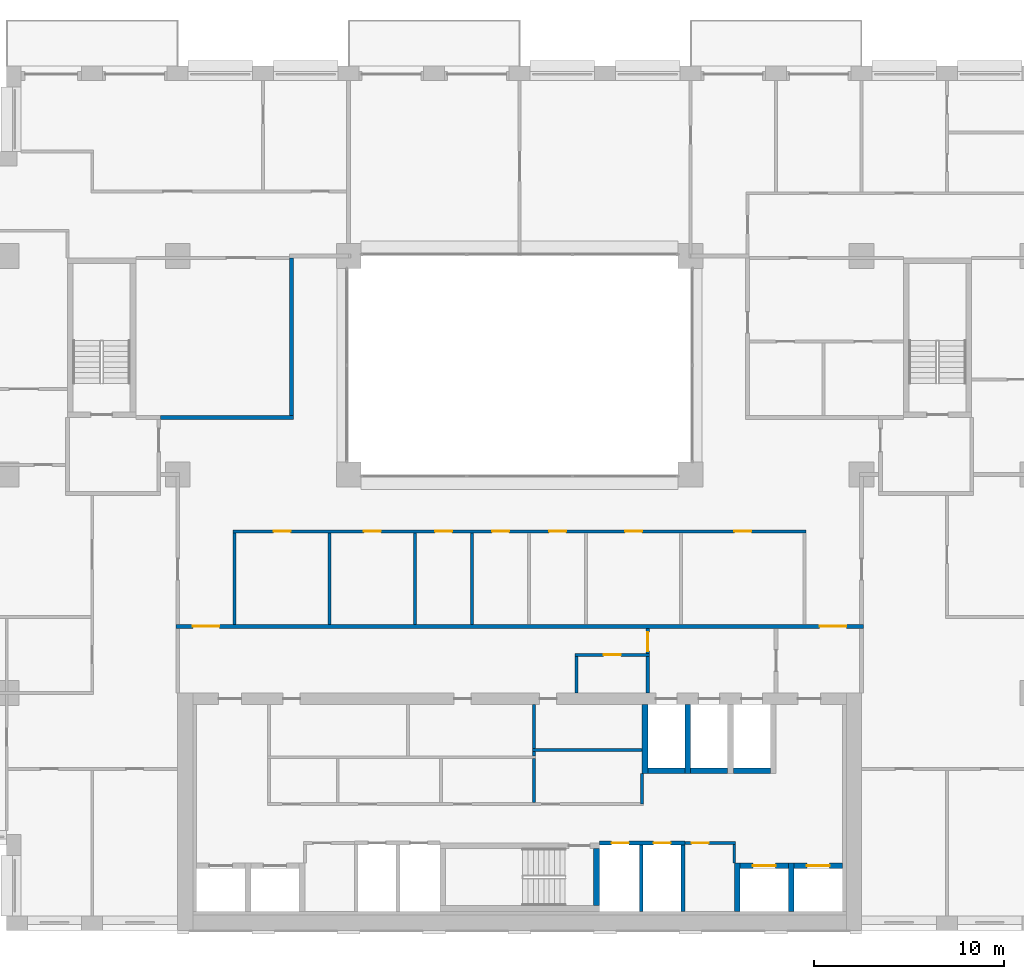
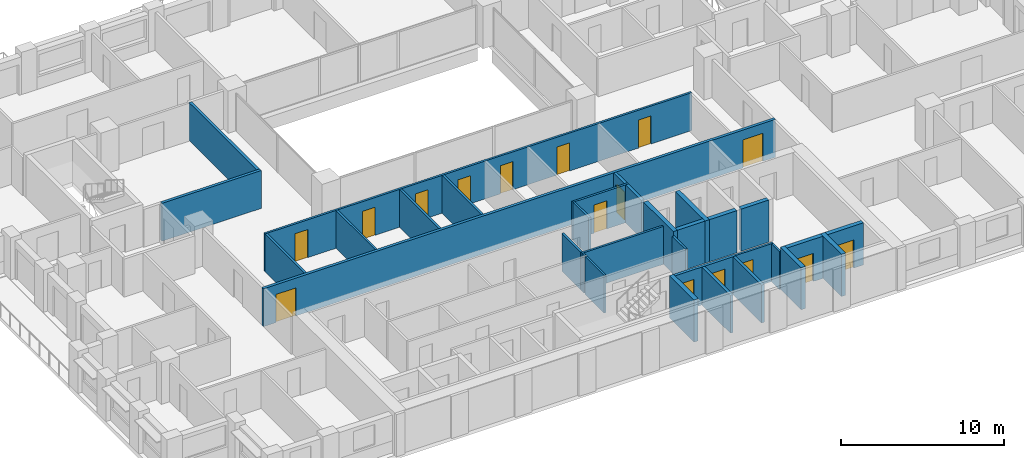
# One storey, part 10 of 16: 32 walls, 16 doors, 16 openings.
"""IFC4 building model written with IfcOpenShell, lengths in metres."""

from ifc_helpers import new_model, si_unit, direction, frame, frame_2d, origin, place, context, subcontext, project, spatial, rectangle, extrude, material, layer, layer_set, type_object, element, fill, save


model = new_model("IFC4")

# Units and contexts
model_context = context("Model", 3, precision=1e-05, world=origin(), true_north=direction((0.0, 1.0)))
body_context = subcontext(model_context, "Body", "Model", "MODEL_VIEW")
ifc_project = project(units=[si_unit("LENGTHUNIT", "METRE"), si_unit("AREAUNIT", "SQUARE_METRE"), si_unit("VOLUMEUNIT", "CUBIC_METRE"), si_unit("PLANEANGLEUNIT", "RADIAN"), si_unit("MASSUNIT", "GRAM", prefix="KILO")], contexts=[model_context])

# Site, building, storey
site_placement = place(None, origin())
site = spatial("IfcSite", under=ifc_project, at=site_placement, CompositionType="ELEMENT")
building_placement = place(site_placement, origin())
building = spatial("IfcBuilding", under=site, at=building_placement, Name="Brigalow Station Residences", CompositionType="ELEMENT")
storey_placement = place(building_placement, frame((0.0, 0.0, 102.449951171875)))
storey = spatial("IfcBuildingStorey", under=building, at=storey_placement, Name="L29", CompositionType="ELEMENT", Elevation=102.449951171875)

# Walls
ifc_material_1 = material(Name="Concrete C65", Category="concrete")
ifc_layer_1 = layer(ifc_material_1, 0.300048828125)
ifc_layer_set_1 = layer_set([ifc_layer_1], Name="CORE SHEAR WALL 300 C65")
wall_type_1 = type_object("IfcWallType", Name="CORE SHEAR WALL 300 C65", PredefinedType="SHEAR", material=ifc_layer_set_1)
wall_1_placement = place(storey_placement, frame((42.75, 8.39990234375, 0.0), z_axis=(0.0, 0.0, 1.0), x_axis=(1.0, 0.0, 0.0)))
element("IfcWall", 1, at=wall_1_placement, inside=storey, type_object=wall_type_1, Name="CORE WALL SH-FF1-S L29", PredefinedType="SHEAR", context=body_context, shape_type="SweptSolid", body=[
    extrude(rectangle(XDim=1.949951171875, YDim=0.300048828125, at=frame_2d((0.97509765625, 0.0))), origin(), (0.0, 0.0, 1.0), 3.150146484375),
])
wall_2_placement = place(storey_placement, frame((42.60009765625, 8.25, 0.0), z_axis=(0.0, 0.0, 1.0), x_axis=(0.0, 1.0, 0.0)))
element("IfcWall", 2, at=wall_2_placement, inside=storey, type_object=wall_type_1, Name="CORE WALL SH-FF1-W L29", PredefinedType="SHEAR", context=body_context, shape_type="SweptSolid", body=[
    extrude(rectangle(XDim=3.64990234375, YDim=0.300048828125, at=frame_2d((1.824951171875, 0.0))), origin(), (0.0, 0.0, 1.0), 3.150146484375),
])
wall_3_placement = place(storey_placement, frame((45.0, 8.39990234375, 0.0), z_axis=(0.0, 0.0, 1.0), x_axis=(1.0, 0.0, 0.0)))
element("IfcWall", 3, at=wall_3_placement, inside=storey, type_object=wall_type_1, Name="CORE WALL SH-FF2-S L29", PredefinedType="SHEAR", context=body_context, shape_type="SweptSolid", body=[
    extrude(rectangle(XDim=1.949951171875, YDim=0.300048828125, at=frame_2d((0.97509765625, 0.0))), origin(), (0.0, 0.0, 1.0), 3.150146484375),
])
wall_4_placement = place(storey_placement, frame((44.85009765625, 8.25, 0.0), z_axis=(0.0, 0.0, 1.0), x_axis=(0.0, 1.0, 0.0)))
element("IfcWall", 4, at=wall_4_placement, inside=storey, type_object=wall_type_1, Name="CORE WALL SH-FF2-W L29", PredefinedType="SHEAR", context=body_context, shape_type="SweptSolid", body=[
    extrude(rectangle(XDim=3.64990234375, YDim=0.300048828125, at=frame_2d((1.824951171875, 0.0))), origin(), (0.0, 0.0, 1.0), 3.150146484375),
])
wall_5_placement = place(storey_placement, frame((47.25, 8.39990234375, 0.0), z_axis=(0.0, 0.0, 1.0), x_axis=(1.0, 0.0, 0.0)))
element("IfcWall", 5, at=wall_5_placement, inside=storey, type_object=wall_type_1, Name="CORE WALL SH-SL1-S L29", PredefinedType="SHEAR", context=body_context, shape_type="SweptSolid", body=[
    extrude(rectangle(XDim=1.949951171875, YDim=0.300048828125, at=frame_2d((0.97509765625, 0.0))), origin(), (0.0, 0.0, 1.0), 3.150146484375),
])

# Wall, opening, door
wall_6_placement = place(storey_placement, frame((47.60009765625, 3.39990234375, 0.0), z_axis=(0.0, 0.0, 1.0), x_axis=(1.0, 0.0, 0.0)))
wall_6 = element("IfcWall", 6, at=wall_6_placement, inside=storey, type_object=wall_type_1, Name="CORE WALL SH-C3-N L29", PredefinedType="SHEAR", context=body_context, shape_type="SweptSolid", body=[
    extrude(rectangle(XDim=2.5498046875, YDim=0.300048828125, at=frame_2d((1.27490234375, 0.0))), origin(), (0.0, 0.0, 1.0), 3.150146484375),
])
opening_1_placement = place(wall_6_placement, frame((0.675048828125, 0.0, 0.0)))
opening_1 = element("IfcOpeningElement", 7, at=opening_1_placement, cuts=wall_6, Name="Opening LD-LB3", PredefinedType="OPENING", context=body_context, shape_type="SweptSolid", body=[
    extrude(rectangle(XDim=1.199951171875, YDim=2.10009765625, at=frame_2d((0.60009765625, 1.050048828125))), frame((0.0, 0.16015625, 0.0), z_axis=(0.0, -1.0, 0.0), x_axis=(1.0, 0.0, 0.0)), (0.0, 0.0, 1.0), 0.320068359375),
])
ifc_material_2 = material(Name="Stainless steel sliding door leaves", Category="steel")
door_type_1 = type_object("IfcDoorType", Name="LIFT LANDING DOOR 1200 x 2100", OperationType="DOUBLE_DOOR_SLIDING", PredefinedType="DOOR", material=ifc_material_2)
door_1_placement = place(opening_1_placement, origin())
door_1 = element("IfcDoor", 8, at=door_1_placement, inside=storey, type_object=door_type_1, Name="LANDING DOOR LB3", OperationType="DOUBLE_DOOR_SLIDING", OverallHeight=2.10009765625, OverallWidth=1.199951171875, PredefinedType="DOOR", context=body_context, shape_type="SweptSolid", body=[
    extrude(rectangle(XDim=1.199951171875, YDim=2.10009765625, at=frame_2d((0.60009765625, 1.050048828125))), frame((0.0, 0.02490234375, 0.0), z_axis=(0.0, -1.0, 0.0), x_axis=(1.0, 0.0, 0.0)), (0.0, 0.0, 1.0), 0.050048828125),
])
fill(opening_1, door_1)

# Wall
wall_7_placement = place(storey_placement, frame((47.449951171875, 1.0, 0.0), z_axis=(0.0, 0.0, 1.0), x_axis=(0.0, 1.0, 0.0)))
element("IfcWall", 9, at=wall_7_placement, inside=storey, type_object=wall_type_1, Name="CORE WALL SH-C3-W L29", PredefinedType="SHEAR", context=body_context, shape_type="SweptSolid", body=[
    extrude(rectangle(XDim=2.550048828125, YDim=0.300048828125, at=frame_2d((1.27490234375, 0.0))), origin(), (0.0, 0.0, 1.0), 3.150146484375),
])

# Wall, opening, door
wall_8_placement = place(storey_placement, frame((50.449951171875, 3.39990234375, 0.0), z_axis=(0.0, 0.0, 1.0), x_axis=(1.0, 0.0, 0.0)))
wall_8 = element("IfcWall", 10, at=wall_8_placement, inside=storey, type_object=wall_type_1, Name="CORE WALL SH-C4-N L29", PredefinedType="SHEAR", context=body_context, shape_type="SweptSolid", body=[
    extrude(rectangle(XDim=2.550048828125, YDim=0.300048828125, at=frame_2d((1.27490234375, 0.0))), origin(), (0.0, 0.0, 1.0), 3.150146484375),
])
opening_2_placement = place(wall_8_placement, frame((0.675048828125, 0.0, 0.0)))
opening_2 = element("IfcOpeningElement", 11, at=opening_2_placement, cuts=wall_8, Name="Opening LD-LB4", PredefinedType="OPENING", context=body_context, shape_type="SweptSolid", body=[
    extrude(rectangle(XDim=1.199951171875, YDim=2.10009765625, at=frame_2d((0.60009765625, 1.050048828125))), frame((0.0, 0.16015625, 0.0), z_axis=(0.0, -1.0, 0.0), x_axis=(1.0, 0.0, 0.0)), (0.0, 0.0, 1.0), 0.320068359375),
])
door_2_placement = place(opening_2_placement, origin())
door_2 = element("IfcDoor", 12, at=door_2_placement, inside=storey, type_object=door_type_1, Name="LANDING DOOR LB4", OperationType="DOUBLE_DOOR_SLIDING", OverallHeight=2.10009765625, OverallWidth=1.199951171875, PredefinedType="DOOR", context=body_context, shape_type="SweptSolid", body=[
    extrude(rectangle(XDim=1.199951171875, YDim=2.10009765625, at=frame_2d((0.60009765625, 1.050048828125))), frame((0.0, 0.02490234375, 0.0), z_axis=(0.0, -1.0, 0.0), x_axis=(1.0, 0.0, 0.0)), (0.0, 0.0, 1.0), 0.050048828125),
])
fill(opening_2, door_2)

# Walls
wall_9_placement = place(storey_placement, frame((50.300048828125, 1.0, 0.0), z_axis=(0.0, 0.0, 1.0), x_axis=(0.0, 1.0, 0.0)))
element("IfcWall", 13, at=wall_9_placement, inside=storey, type_object=wall_type_1, Name="CORE WALL SH-C4-W L29", PredefinedType="SHEAR", context=body_context, shape_type="SweptSolid", body=[
    extrude(rectangle(XDim=2.550048828125, YDim=0.300048828125, at=frame_2d((1.27490234375, 0.0))), origin(), (0.0, 0.0, 1.0), 3.150146484375),
])
wall_10_placement = place(storey_placement, frame((40.050048828125, 1.300048828125, 0.0), z_axis=(0.0, 0.0, 1.0), x_axis=(0.0, 1.0, 0.0)))
element("IfcWall", 14, at=wall_10_placement, inside=storey, type_object=wall_type_1, Name="CORE WALL ST-S2-E L29", PredefinedType="SHEAR", context=body_context, shape_type="SweptSolid", body=[
    extrude(rectangle(XDim=3.0, YDim=0.300048828125, at=frame_2d((1.5, 0.0))), origin(), (0.0, 0.0, 1.0), 3.150146484375),
])

# Wall, openings, doors
ifc_material_3 = material(Name="Concrete blockwork", Category="masonry")
ifc_layer_2 = layer(ifc_material_3, 0.199951171875)
ifc_layer_set_2 = layer_set([ifc_layer_2], Name="FIRE RATED CORE PARTITION 200")
wall_type_2 = type_object("IfcWallType", Name="FIRE RATED CORE PARTITION 200", PredefinedType="PARTITIONING", material=ifc_layer_set_2)
wall_11_placement = place(storey_placement, frame((40.199951171875, 4.60009765625, 0.0), z_axis=(0.0, 0.0, 1.0), x_axis=(1.0, 0.0, 0.0)))
wall_11 = element("IfcWall", 15, at=wall_11_placement, inside=storey, type_object=wall_type_2, Name="PW-5018", PredefinedType="PARTITIONING", context=body_context, shape_type="SweptSolid", body=[
    extrude(rectangle(XDim=4.5, YDim=0.199951171875, at=frame_2d((2.25, 0.0))), origin(), (0.0, 0.0, 1.0), 2.830078125),
])
opening_3_placement = place(wall_11_placement, frame((0.64990234375, 0.0, 0.0)))
opening_3 = element("IfcOpeningElement", 16, at=opening_3_placement, cuts=wall_11, Name="Opening D-5009", PredefinedType="OPENING", context=body_context, shape_type="SweptSolid", body=[
    extrude(rectangle(XDim=0.89990234375, YDim=2.10009765625, at=frame_2d((0.449951171875, 1.050048828125))), frame((0.0, 0.10986328125, 0.0), z_axis=(0.0, -1.0, 0.0), x_axis=(1.0, 0.0, 0.0)), (0.0, 0.0, 1.0), 0.219970703125),
])
opening_4_placement = place(wall_11_placement, frame((2.85009765625, 0.0, 0.0)))
opening_4 = element("IfcOpeningElement", 17, at=opening_4_placement, cuts=wall_11, Name="Opening D-5010", PredefinedType="OPENING", context=body_context, shape_type="SweptSolid", body=[
    extrude(rectangle(XDim=0.89990234375, YDim=2.10009765625, at=frame_2d((0.449951171875, 1.050048828125))), frame((0.0, 0.10986328125, 0.0), z_axis=(0.0, -1.0, 0.0), x_axis=(1.0, 0.0, 0.0)), (0.0, 0.0, 1.0), 0.219970703125),
])
ifc_material_4 = material(Name="Steel fire door leaf in steel frame", Category="steel")
door_type_2 = type_object("IfcDoorType", Name="RISER ACCESS DOOR 900 x 2100 FD120", OperationType="SINGLE_SWING_LEFT", PredefinedType="DOOR", material=ifc_material_4)
door_3_placement = place(opening_3_placement, frame((0.89990234375, 0.0, 0.0), z_axis=(0.0, 0.0, 1.0), x_axis=(-1.0, 0.0, 0.0)))
door_3 = element("IfcDoor", 18, at=door_3_placement, inside=storey, type_object=door_type_2, Name="D-5009", OperationType="SINGLE_SWING_LEFT", OverallHeight=2.10009765625, OverallWidth=0.89990234375, PredefinedType="DOOR", context=body_context, shape_type="SweptSolid", body=[
    extrude(rectangle(XDim=0.89990234375, YDim=2.10009765625, at=frame_2d((0.449951171875, 1.050048828125))), frame((0.0, 0.02490234375, 0.0), z_axis=(0.0, -1.0, 0.0), x_axis=(1.0, 0.0, 0.0)), (0.0, 0.0, 1.0), 0.050048828125),
])
fill(opening_3, door_3)
door_4_placement = place(opening_4_placement, frame((0.89990234375, 0.0, 0.0), z_axis=(0.0, 0.0, 1.0), x_axis=(-1.0, 0.0, 0.0)))
door_4 = element("IfcDoor", 19, at=door_4_placement, inside=storey, type_object=door_type_2, Name="D-5010", OperationType="SINGLE_SWING_LEFT", OverallHeight=2.10009765625, OverallWidth=0.89990234375, PredefinedType="DOOR", context=body_context, shape_type="SweptSolid", body=[
    extrude(rectangle(XDim=0.89990234375, YDim=2.10009765625, at=frame_2d((0.449951171875, 1.050048828125))), frame((0.0, 0.02490234375, 0.0), z_axis=(0.0, -1.0, 0.0), x_axis=(1.0, 0.0, 0.0)), (0.0, 0.0, 1.0), 0.050048828125),
])
fill(opening_4, door_4)

# Walls
for number, where, z_axis, x_axis, name in (
    (20, (42.39990234375, 1.0, 0.0), (0.0, 0.0, 1.0), (0.0, 1.0, 0.0), "PW-5007"),
    (21, (44.60009765625, 1.0, 0.0), (0.0, 0.0, 1.0), (0.0, 1.0, 0.0), "PW-5008"),
):
    element("IfcWall", number, at=place(storey_placement, frame(where, z_axis=z_axis, x_axis=x_axis)), inside=storey, type_object=wall_type_2, Name=name, PredefinedType="PARTITIONING", context=body_context, shape_type="SweptSolid", body=[
        extrude(rectangle(XDim=3.5, YDim=0.199951171875, at=frame_2d((1.75, 0.0))), origin(), (0.0, 0.0, 1.0), 2.830078125),
    ])
wall_12_placement = place(storey_placement, frame((42.75, 12.5, 0.0), z_axis=(0.0, 0.0, 1.0), x_axis=(0.0, 1.0, 0.0)))
element("IfcWall", 22, at=wall_12_placement, inside=storey, type_object=wall_type_2, Name="PW-5046", PredefinedType="PARTITIONING", context=body_context, shape_type="SweptSolid", body=[
    extrude(rectangle(XDim=1.925048828125, YDim=0.199951171875, at=frame_2d((0.96240234375, 0.0))), origin(), (0.0, 0.0, 1.0), 2.830078125),
])

# Wall, opening, door
wall_13_placement = place(storey_placement, frame((42.75, 14.574951171875, 0.0), z_axis=(0.0, 0.0, 1.0), x_axis=(0.0, 1.0, 0.0)))
wall_13 = element("IfcWall", 23, at=wall_13_placement, inside=storey, type_object=wall_type_2, Name="PW-5047", PredefinedType="PARTITIONING", context=body_context, shape_type="SweptSolid", body=[
    extrude(rectangle(XDim=1.324951171875, YDim=0.199951171875, at=frame_2d((0.66259765625, 0.0))), origin(), (0.0, 0.0, 1.0), 2.830078125),
])
opening_5_placement = place(wall_13_placement, frame((0.125, 0.0, 0.0)))
opening_5 = element("IfcOpeningElement", 24, at=opening_5_placement, cuts=wall_13, Name="Opening D-5013", PredefinedType="OPENING", context=body_context, shape_type="SweptSolid", body=[
    extrude(rectangle(XDim=1.0, YDim=2.10009765625, at=frame_2d((0.5, 1.050048828125))), frame((0.0, 0.10986328125, 0.0), z_axis=(0.0, -1.0, 0.0), x_axis=(1.0, 0.0, 0.0)), (0.0, 0.0, 1.0), 0.219970703125),
])
ifc_material_5 = material(Name="Steel fire door leaf in steel frame", Category="steel")
door_type_3 = type_object("IfcDoorType", Name="LOBBY DOOR 1000 x 2100 FD60S", OperationType="SINGLE_SWING_LEFT", PredefinedType="DOOR", material=ifc_material_5)
door_5_placement = place(opening_5_placement, origin())
door_5 = element("IfcDoor", 25, at=door_5_placement, inside=storey, type_object=door_type_3, Name="D-5013", OperationType="SINGLE_SWING_LEFT", OverallHeight=2.10009765625, OverallWidth=1.0, PredefinedType="DOOR", context=body_context, shape_type="SweptSolid", body=[
    extrude(rectangle(XDim=1.0, YDim=2.10009765625, at=frame_2d((0.5, 1.050048828125))), frame((0.0, 0.02490234375, 0.0), z_axis=(0.0, -1.0, 0.0), x_axis=(1.0, 0.0, 0.0)), (0.0, 0.0, 1.0), 0.050048828125),
])
fill(opening_5, door_5)

# Wall, openings, doors
ifc_material_6 = material(Name="Plasterboard on steel stud partition", Category="steel")
ifc_layer_3 = layer(ifc_material_6, 0.14990234375)
ifc_layer_set_3 = layer_set([ifc_layer_3], Name="FLAT PARTITION 150")
wall_type_3 = type_object("IfcWallType", Name="FLAT PARTITION 150", PredefinedType="PARTITIONING", material=ifc_layer_set_3)
wall_14_placement = place(storey_placement, frame((20.925048828125, 21.0, 0.0), z_axis=(0.0, 0.0, 1.0), x_axis=(1.0, 0.0, 0.0)))
wall_14 = element("IfcWall", 26, at=wall_14_placement, inside=storey, type_object=wall_type_3, Name="PW-2C01", PredefinedType="PARTITIONING", context=body_context, shape_type="SweptSolid", body=[
    extrude(rectangle(XDim=30.14990234375, YDim=0.14990234375, at=frame_2d((15.074951171875, 0.0))), origin(), (0.0, 0.0, 1.0), 2.830078125),
])
opening_6_placement = place(wall_14_placement, frame((2.125, 0.0, 0.0)))
opening_6 = element("IfcOpeningElement", 27, at=opening_6_placement, cuts=wall_14, Name="Opening D-2C45", PredefinedType="OPENING", context=body_context, shape_type="SweptSolid", body=[
    extrude(rectangle(XDim=0.89990234375, YDim=2.10009765625, at=frame_2d((0.449951171875, 1.050048828125))), frame((0.0, 0.0849609375, 0.0), z_axis=(0.0, -1.0, 0.0), x_axis=(1.0, 0.0, 0.0)), (0.0, 0.0, 1.0), 0.169921875),
])
opening_7_placement = place(wall_14_placement, frame((6.875, 0.0, 0.0)))
opening_7 = element("IfcOpeningElement", 28, at=opening_7_placement, cuts=wall_14, Name="Opening D-2C46", PredefinedType="OPENING", context=body_context, shape_type="SweptSolid", body=[
    extrude(rectangle(XDim=0.89990234375, YDim=2.10009765625, at=frame_2d((0.449951171875, 1.050048828125))), frame((0.0, 0.0849609375, 0.0), z_axis=(0.0, -1.0, 0.0), x_axis=(1.0, 0.0, 0.0)), (0.0, 0.0, 1.0), 0.169921875),
])
opening_8_placement = place(wall_14_placement, frame((10.625, 0.0, 0.0)))
opening_8 = element("IfcOpeningElement", 29, at=opening_8_placement, cuts=wall_14, Name="Opening D-2C47", PredefinedType="OPENING", context=body_context, shape_type="SweptSolid", body=[
    extrude(rectangle(XDim=0.89990234375, YDim=2.10009765625, at=frame_2d((0.449951171875, 1.050048828125))), frame((0.0, 0.0849609375, 0.0), z_axis=(0.0, -1.0, 0.0), x_axis=(1.0, 0.0, 0.0)), (0.0, 0.0, 1.0), 0.169921875),
])
opening_9_placement = place(wall_14_placement, frame((13.625, 0.0, 0.0)))
opening_9 = element("IfcOpeningElement", 30, at=opening_9_placement, cuts=wall_14, Name="Opening D-2C48", PredefinedType="OPENING", context=body_context, shape_type="SweptSolid", body=[
    extrude(rectangle(XDim=0.89990234375, YDim=2.10009765625, at=frame_2d((0.449951171875, 1.050048828125))), frame((0.0, 0.0849609375, 0.0), z_axis=(0.0, -1.0, 0.0), x_axis=(1.0, 0.0, 0.0)), (0.0, 0.0, 1.0), 0.169921875),
])
opening_10_placement = place(wall_14_placement, frame((16.625, 0.0, 0.0)))
opening_10 = element("IfcOpeningElement", 31, at=opening_10_placement, cuts=wall_14, Name="Opening D-2C49", PredefinedType="OPENING", context=body_context, shape_type="SweptSolid", body=[
    extrude(rectangle(XDim=0.89990234375, YDim=2.10009765625, at=frame_2d((0.449951171875, 1.050048828125))), frame((0.0, 0.0849609375, 0.0), z_axis=(0.0, -1.0, 0.0), x_axis=(1.0, 0.0, 0.0)), (0.0, 0.0, 1.0), 0.169921875),
])
opening_11_placement = place(wall_14_placement, frame((20.625, 0.0, 0.0)))
opening_11 = element("IfcOpeningElement", 32, at=opening_11_placement, cuts=wall_14, Name="Opening D-2C50", PredefinedType="OPENING", context=body_context, shape_type="SweptSolid", body=[
    extrude(rectangle(XDim=0.89990234375, YDim=2.10009765625, at=frame_2d((0.449951171875, 1.050048828125))), frame((0.0, 0.0849609375, 0.0), z_axis=(0.0, -1.0, 0.0), x_axis=(1.0, 0.0, 0.0)), (0.0, 0.0, 1.0), 0.169921875),
])
opening_12_placement = place(wall_14_placement, frame((26.375, 0.0, 0.0)))
opening_12 = element("IfcOpeningElement", 33, at=opening_12_placement, cuts=wall_14, Name="Opening D-2C51", PredefinedType="OPENING", context=body_context, shape_type="SweptSolid", body=[
    extrude(rectangle(XDim=0.89990234375, YDim=2.10009765625, at=frame_2d((0.449951171875, 1.050048828125))), frame((0.0, 0.0849609375, 0.0), z_axis=(0.0, -1.0, 0.0), x_axis=(1.0, 0.0, 0.0)), (0.0, 0.0, 1.0), 0.169921875),
])
ifc_material_7 = material(Name="Solid-core timber door leaf", Category="wood")
door_type_4 = type_object("IfcDoorType", Name="INTERNAL DOOR 900 x 2100", OperationType="SINGLE_SWING_LEFT", PredefinedType="DOOR", material=ifc_material_7)
door_6_placement = place(opening_6_placement, frame((0.89990234375, 0.0, 0.0), z_axis=(0.0, 0.0, 1.0), x_axis=(-1.0, 0.0, 0.0)))
door_6 = element("IfcDoor", 34, at=door_6_placement, inside=storey, type_object=door_type_4, Name="D-2C45", OperationType="SINGLE_SWING_RIGHT", OverallHeight=2.10009765625, OverallWidth=0.89990234375, PredefinedType="DOOR", context=body_context, shape_type="SweptSolid", body=[
    extrude(rectangle(XDim=0.89990234375, YDim=2.10009765625, at=frame_2d((0.449951171875, 1.050048828125))), frame((0.0, 0.02490234375, 0.0), z_axis=(0.0, -1.0, 0.0), x_axis=(1.0, 0.0, 0.0)), (0.0, 0.0, 1.0), 0.050048828125),
])
fill(opening_6, door_6)
door_7_placement = place(opening_7_placement, frame((0.89990234375, 0.0, 0.0), z_axis=(0.0, 0.0, 1.0), x_axis=(-1.0, 0.0, 0.0)))
door_7 = element("IfcDoor", 35, at=door_7_placement, inside=storey, type_object=door_type_4, Name="D-2C46", OperationType="SINGLE_SWING_RIGHT", OverallHeight=2.10009765625, OverallWidth=0.89990234375, PredefinedType="DOOR", context=body_context, shape_type="SweptSolid", body=[
    extrude(rectangle(XDim=0.89990234375, YDim=2.10009765625, at=frame_2d((0.449951171875, 1.050048828125))), frame((0.0, 0.02490234375, 0.0), z_axis=(0.0, -1.0, 0.0), x_axis=(1.0, 0.0, 0.0)), (0.0, 0.0, 1.0), 0.050048828125),
])
fill(opening_7, door_7)
door_8_placement = place(opening_8_placement, frame((0.89990234375, 0.0, 0.0), z_axis=(0.0, 0.0, 1.0), x_axis=(-1.0, 0.0, 0.0)))
door_8 = element("IfcDoor", 36, at=door_8_placement, inside=storey, type_object=door_type_4, Name="D-2C47", OperationType="SINGLE_SWING_RIGHT", OverallHeight=2.10009765625, OverallWidth=0.89990234375, PredefinedType="DOOR", context=body_context, shape_type="SweptSolid", body=[
    extrude(rectangle(XDim=0.89990234375, YDim=2.10009765625, at=frame_2d((0.449951171875, 1.050048828125))), frame((0.0, 0.02490234375, 0.0), z_axis=(0.0, -1.0, 0.0), x_axis=(1.0, 0.0, 0.0)), (0.0, 0.0, 1.0), 0.050048828125),
])
fill(opening_8, door_8)
door_9_placement = place(opening_9_placement, frame((0.89990234375, 0.0, 0.0), z_axis=(0.0, 0.0, 1.0), x_axis=(-1.0, 0.0, 0.0)))
door_9 = element("IfcDoor", 37, at=door_9_placement, inside=storey, type_object=door_type_4, Name="D-2C48", OperationType="SINGLE_SWING_LEFT", OverallHeight=2.10009765625, OverallWidth=0.89990234375, PredefinedType="DOOR", context=body_context, shape_type="SweptSolid", body=[
    extrude(rectangle(XDim=0.89990234375, YDim=2.10009765625, at=frame_2d((0.449951171875, 1.050048828125))), frame((0.0, 0.02490234375, 0.0), z_axis=(0.0, -1.0, 0.0), x_axis=(1.0, 0.0, 0.0)), (0.0, 0.0, 1.0), 0.050048828125),
])
fill(opening_9, door_9)
door_10_placement = place(opening_10_placement, frame((0.89990234375, 0.0, 0.0), z_axis=(0.0, 0.0, 1.0), x_axis=(-1.0, 0.0, 0.0)))
door_10 = element("IfcDoor", 38, at=door_10_placement, inside=storey, type_object=door_type_4, Name="D-2C49", OperationType="SINGLE_SWING_LEFT", OverallHeight=2.10009765625, OverallWidth=0.89990234375, PredefinedType="DOOR", context=body_context, shape_type="SweptSolid", body=[
    extrude(rectangle(XDim=0.89990234375, YDim=2.10009765625, at=frame_2d((0.449951171875, 1.050048828125))), frame((0.0, 0.02490234375, 0.0), z_axis=(0.0, -1.0, 0.0), x_axis=(1.0, 0.0, 0.0)), (0.0, 0.0, 1.0), 0.050048828125),
])
fill(opening_10, door_10)
door_11_placement = place(opening_11_placement, frame((0.89990234375, 0.0, 0.0), z_axis=(0.0, 0.0, 1.0), x_axis=(-1.0, 0.0, 0.0)))
door_11 = element("IfcDoor", 39, at=door_11_placement, inside=storey, type_object=door_type_4, Name="D-2C50", OperationType="SINGLE_SWING_RIGHT", OverallHeight=2.10009765625, OverallWidth=0.89990234375, PredefinedType="DOOR", context=body_context, shape_type="SweptSolid", body=[
    extrude(rectangle(XDim=0.89990234375, YDim=2.10009765625, at=frame_2d((0.449951171875, 1.050048828125))), frame((0.0, 0.02490234375, 0.0), z_axis=(0.0, -1.0, 0.0), x_axis=(1.0, 0.0, 0.0)), (0.0, 0.0, 1.0), 0.050048828125),
])
fill(opening_11, door_11)
door_12_placement = place(opening_12_placement, frame((0.89990234375, 0.0, 0.0), z_axis=(0.0, 0.0, 1.0), x_axis=(-1.0, 0.0, 0.0)))
door_12 = element("IfcDoor", 40, at=door_12_placement, inside=storey, type_object=door_type_4, Name="D-2C51", OperationType="SINGLE_SWING_LEFT", OverallHeight=2.10009765625, OverallWidth=0.89990234375, PredefinedType="DOOR", context=body_context, shape_type="SweptSolid", body=[
    extrude(rectangle(XDim=0.89990234375, YDim=2.10009765625, at=frame_2d((0.449951171875, 1.050048828125))), frame((0.0, 0.02490234375, 0.0), z_axis=(0.0, -1.0, 0.0), x_axis=(1.0, 0.0, 0.0)), (0.0, 0.0, 1.0), 0.050048828125),
])
fill(opening_12, door_12)

# Walls
for number, where, z_axis, x_axis, name in (
    (41, (21.0, 16.10009765625, 0.0), (0.0, 0.0, 1.0), (0.0, 1.0, 0.0), "PW-2C39"),
    (42, (26.0, 16.10009765625, 0.0), (0.0, 0.0, 1.0), (0.0, 1.0, 0.0), "PW-2C67"),
    (43, (30.5, 16.10009765625, 0.0), (0.0, 0.0, 1.0), (0.0, 1.0, 0.0), "PW-2C68"),
    (44, (33.5, 16.10009765625, 0.0), (0.0, 0.0, 1.0), (0.0, 1.0, 0.0), "PW-2C69"),
):
    element("IfcWall", number, at=place(storey_placement, frame(where, z_axis=z_axis, x_axis=x_axis)), inside=storey, type_object=wall_type_3, Name=name, PredefinedType="PARTITIONING", context=body_context, shape_type="SweptSolid", body=[
        extrude(rectangle(XDim=4.824951171875, YDim=0.14990234375, at=frame_2d((2.41259765625, 0.0))), origin(), (0.0, 0.0, 1.0), 2.830078125),
    ])
ifc_material_8 = material(Name="Plasterboard on steel stud partition", Category="steel")
ifc_layer_4 = layer(ifc_material_8, 0.199951171875)
ifc_layer_set_4 = layer_set([ifc_layer_4], Name="PARTY AND CORRIDOR WALL 200")
wall_type_4 = type_object("IfcWallType", Name="PARTY AND CORRIDOR WALL 200", PredefinedType="PARTITIONING", material=ifc_layer_set_4)
wall_15_placement = place(storey_placement, frame((17.10009765625, 27.0, 0.0), z_axis=(0.0, 0.0, 1.0), x_axis=(1.0, 0.0, 0.0)))
element("IfcWall", 45, at=wall_15_placement, inside=storey, type_object=wall_type_4, Name="PW-2C05", PredefinedType="PARTITIONING", context=body_context, shape_type="SweptSolid", body=[
    extrude(rectangle(XDim=7.0, YDim=0.199951171875, at=frame_2d((3.5, 0.0))), origin(), (0.0, 0.0, 1.0), 2.830078125),
])

# Wall, openings, doors
wall_16_placement = place(storey_placement, frame((17.89990234375, 16.0, 0.0), z_axis=(0.0, 0.0, 1.0), x_axis=(1.0, 0.0, 0.0)))
wall_16 = element("IfcWall", 46, at=wall_16_placement, inside=storey, type_object=wall_type_4, Name="PW-2C35", PredefinedType="PARTITIONING", context=body_context, shape_type="SweptSolid", body=[
    extrude(rectangle(XDim=36.2001953125, YDim=0.199951171875, at=frame_2d((18.10009765625, 0.0))), origin(), (0.0, 0.0, 1.0), 2.830078125),
])
opening_13_placement = place(wall_16_placement, frame((0.89990234375, 0.0, 0.0)))
opening_13 = element("IfcOpeningElement", 47, at=opening_13_placement, cuts=wall_16, Name="Opening D-2C01", PredefinedType="OPENING", context=body_context, shape_type="SweptSolid", body=[
    extrude(rectangle(XDim=1.39990234375, YDim=2.10009765625, at=frame_2d((0.699951171875, 1.050048828125))), frame((0.0, 0.10986328125, 0.0), z_axis=(0.0, -1.0, 0.0), x_axis=(1.0, 0.0, 0.0)), (0.0, 0.0, 1.0), 0.219970703125),
])
opening_14_placement = place(wall_16_placement, frame((33.89990234375, 0.0, 0.0)))
opening_14 = element("IfcOpeningElement", 48, at=opening_14_placement, cuts=wall_16, Name="Opening D-2C02", PredefinedType="OPENING", context=body_context, shape_type="SweptSolid", body=[
    extrude(rectangle(XDim=1.39990234375, YDim=2.10009765625, at=frame_2d((0.699951171875, 1.050048828125))), frame((0.0, 0.10986328125, 0.0), z_axis=(0.0, -1.0, 0.0), x_axis=(1.0, 0.0, 0.0)), (0.0, 0.0, 1.0), 0.219970703125),
])
ifc_material_9 = material(Name="Solid-core timber door leaf", Category="wood")
door_type_5 = type_object("IfcDoorType", Name="CORRIDOR FIRE DOOR 1400 x 2100 FRL -/60/30", OperationType="DOUBLE_DOOR_SINGLE_SWING", PredefinedType="DOOR", material=ifc_material_9)
door_13_placement = place(opening_13_placement, frame((1.39990234375, 0.0, 0.0), z_axis=(0.0, 0.0, 1.0), x_axis=(-1.0, 0.0, 0.0)))
door_13 = element("IfcDoor", 49, at=door_13_placement, inside=storey, type_object=door_type_5, Name="D-2C01", OperationType="DOUBLE_DOOR_SINGLE_SWING", OverallHeight=2.10009765625, OverallWidth=1.39990234375, PredefinedType="DOOR", context=body_context, shape_type="SweptSolid", body=[
    extrude(rectangle(XDim=1.39990234375, YDim=2.10009765625, at=frame_2d((0.699951171875, 1.050048828125))), frame((0.0, 0.02490234375, 0.0), z_axis=(0.0, -1.0, 0.0), x_axis=(1.0, 0.0, 0.0)), (0.0, 0.0, 1.0), 0.050048828125),
])
fill(opening_13, door_13)
door_14_placement = place(opening_14_placement, frame((1.39990234375, 0.0, 0.0), z_axis=(0.0, 0.0, 1.0), x_axis=(-1.0, 0.0, 0.0)))
door_14 = element("IfcDoor", 50, at=door_14_placement, inside=storey, type_object=door_type_5, Name="D-2C02", OperationType="DOUBLE_DOOR_SINGLE_SWING", OverallHeight=2.10009765625, OverallWidth=1.39990234375, PredefinedType="DOOR", context=body_context, shape_type="SweptSolid", body=[
    extrude(rectangle(XDim=1.39990234375, YDim=2.10009765625, at=frame_2d((0.699951171875, 1.050048828125))), frame((0.0, 0.02490234375, 0.0), z_axis=(0.0, -1.0, 0.0), x_axis=(1.0, 0.0, 0.0)), (0.0, 0.0, 1.0), 0.050048828125),
])
fill(opening_14, door_14)

# Wall
wall_17_placement = place(storey_placement, frame((24.0, 27.10009765625, 0.0), z_axis=(0.0, 0.0, 1.0), x_axis=(0.0, 1.0, 0.0)))
element("IfcWall", 51, at=wall_17_placement, inside=storey, type_object=wall_type_4, Name="PW-2C41", PredefinedType="PARTITIONING", context=body_context, shape_type="SweptSolid", body=[
    extrude(rectangle(XDim=8.2998046875, YDim=0.199951171875, at=frame_2d((4.14990234375, 0.0))), origin(), (0.0, 0.0, 1.0), 2.830078125),
])

# Wall, opening, door
ifc_material_10 = material(Name="Plasterboard on steel studs", Category="steel")
ifc_layer_5 = layer(ifc_material_10, 0.14990234375)
ifc_layer_set_5 = layer_set([ifc_layer_5], Name="SERVICE ROOM PARTITION 150")
wall_type_5 = type_object("IfcWallType", Name="SERVICE ROOM PARTITION 150", PredefinedType="PARTITIONING", material=ifc_layer_set_5)
wall_18_placement = place(storey_placement, frame((44.699951171875, 4.60009765625, 0.0), z_axis=(0.0, 0.0, 1.0), x_axis=(1.0, 0.0, 0.0)))
wall_18 = element("IfcWall", 52, at=wall_18_placement, inside=storey, type_object=wall_type_5, Name="PW-5156", PredefinedType="PARTITIONING", context=body_context, shape_type="SweptSolid", body=[
    extrude(rectangle(XDim=2.675048828125, YDim=0.14990234375, at=frame_2d((1.33740234375, 0.0))), origin(), (0.0, 0.0, 1.0), 2.830078125),
])
opening_15_placement = place(wall_18_placement, frame((0.35009765625, 0.0, 0.0)))
opening_15 = element("IfcOpeningElement", 53, at=opening_15_placement, cuts=wall_18, Name="Opening D-5026", PredefinedType="OPENING", context=body_context, shape_type="SweptSolid", body=[
    extrude(rectangle(XDim=0.89990234375, YDim=2.10009765625, at=frame_2d((0.449951171875, 1.050048828125))), frame((0.0, 0.0849609375, 0.0), z_axis=(0.0, -1.0, 0.0), x_axis=(1.0, 0.0, 0.0)), (0.0, 0.0, 1.0), 0.169921875),
])
ifc_material_11 = material(Name="Steel door leaf in steel frame", Category="steel")
door_type_6 = type_object("IfcDoorType", Name="SERVICE ROOM DOOR 900 x 2100 FD60", OperationType="SINGLE_SWING_LEFT", PredefinedType="DOOR", material=ifc_material_11)
door_15_placement = place(opening_15_placement, frame((0.89990234375, 0.0, 0.0), z_axis=(0.0, 0.0, 1.0), x_axis=(-1.0, 0.0, 0.0)))
door_15 = element("IfcDoor", 54, at=door_15_placement, inside=storey, type_object=door_type_6, Name="D-5026", OperationType="SINGLE_SWING_RIGHT", OverallHeight=2.10009765625, OverallWidth=0.89990234375, PredefinedType="DOOR", context=body_context, shape_type="SweptSolid", body=[
    extrude(rectangle(XDim=0.89990234375, YDim=2.10009765625, at=frame_2d((0.449951171875, 1.050048828125))), frame((0.0, 0.02490234375, 0.0), z_axis=(0.0, -1.0, 0.0), x_axis=(1.0, 0.0, 0.0)), (0.0, 0.0, 1.0), 0.050048828125),
])
fill(opening_15, door_15)

# Wall
wall_19_placement = place(storey_placement, frame((36.675048828125, 9.5, 0.0), z_axis=(0.0, 0.0, 1.0), x_axis=(1.0, 0.0, 0.0)))
element("IfcWall", 55, at=wall_19_placement, inside=storey, type_object=wall_type_5, Name="PW-5215", PredefinedType="PARTITIONING", context=body_context, shape_type="SweptSolid", body=[
    extrude(rectangle(XDim=5.77490234375, YDim=0.14990234375, at=frame_2d((2.887451171875, 0.0))), origin(), (0.0, 0.0, 1.0), 2.830078125),
])

# Wall, opening, door
wall_20_placement = place(storey_placement, frame((38.925048828125, 14.5, 0.0), z_axis=(0.0, 0.0, 1.0), x_axis=(1.0, 0.0, 0.0)))
wall_20 = element("IfcWall", 56, at=wall_20_placement, inside=storey, type_object=wall_type_5, Name="PW-5129", PredefinedType="PARTITIONING", context=body_context, shape_type="SweptSolid", body=[
    extrude(rectangle(XDim=3.925048828125, YDim=0.14990234375, at=frame_2d((1.96240234375, 0.0))), origin(), (0.0, 0.0, 1.0), 2.830078125),
])
opening_16_placement = place(wall_20_placement, frame((1.5, 0.0, 0.0)))
opening_16 = element("IfcOpeningElement", 57, at=opening_16_placement, cuts=wall_20, Name="Opening D-5076", PredefinedType="OPENING", context=body_context, shape_type="SweptSolid", body=[
    extrude(rectangle(XDim=0.89990234375, YDim=2.10009765625, at=frame_2d((0.449951171875, 1.050048828125))), frame((0.0, 0.0849609375, 0.0), z_axis=(0.0, -1.0, 0.0), x_axis=(1.0, 0.0, 0.0)), (0.0, 0.0, 1.0), 0.169921875),
])
door_16_placement = place(opening_16_placement, frame((0.89990234375, 0.0, 0.0), z_axis=(0.0, 0.0, 1.0), x_axis=(-1.0, 0.0, 0.0)))
door_16 = element("IfcDoor", 58, at=door_16_placement, inside=storey, type_object=door_type_6, Name="D-5076", OperationType="SINGLE_SWING_LEFT", OverallHeight=2.10009765625, OverallWidth=0.89990234375, PredefinedType="DOOR", context=body_context, shape_type="SweptSolid", body=[
    extrude(rectangle(XDim=0.89990234375, YDim=2.10009765625, at=frame_2d((0.449951171875, 1.050048828125))), frame((0.0, 0.02490234375, 0.0), z_axis=(0.0, -1.0, 0.0), x_axis=(1.0, 0.0, 0.0)), (0.0, 0.0, 1.0), 0.050048828125),
])
fill(opening_16, door_16)

# Walls
wall_21_placement = place(storey_placement, frame((47.300048828125, 3.550048828125, 0.0), z_axis=(0.0, 0.0, 1.0), x_axis=(0.0, 1.0, 0.0)))
element("IfcWall", 59, at=wall_21_placement, inside=storey, type_object=wall_type_5, Name="PW-5158", PredefinedType="PARTITIONING", context=body_context, shape_type="SweptSolid", body=[
    extrude(rectangle(XDim=0.974853515625, YDim=0.14990234375, at=frame_2d((0.4873046875, 0.0))), origin(), (0.0, 0.0, 1.0), 2.830078125),
])
wall_22_placement = place(storey_placement, frame((42.449951171875, 6.64990234375, 0.0), z_axis=(0.0, 0.0, 1.0), x_axis=(0.0, 1.0, 0.0)))
element("IfcWall", 60, at=wall_22_placement, inside=storey, type_object=wall_type_5, Name="PW-5029", PredefinedType="PARTITIONING", context=body_context, shape_type="SweptSolid", body=[
    extrude(rectangle(XDim=1.60009765625, YDim=0.14990234375, at=frame_2d((0.800048828125, 0.0))), origin(), (0.0, 0.0, 1.0), 2.830078125),
])
wall_23_placement = place(storey_placement, frame((36.75, 6.72509765625, 0.0), z_axis=(0.0, 0.0, 1.0), x_axis=(0.0, 1.0, 0.0)))
element("IfcWall", 61, at=wall_23_placement, inside=storey, type_object=wall_type_5, Name="PW-5219", PredefinedType="PARTITIONING", context=body_context, shape_type="SweptSolid", body=[
    extrude(rectangle(XDim=2.309814453125, YDim=0.14990234375, at=frame_2d((1.15478515625, 0.0))), origin(), (0.0, 0.0, 1.0), 2.830078125),
])
wall_24_placement = place(storey_placement, frame((36.75, 9.18505859375, 0.0), z_axis=(0.0, 0.0, 1.0), x_axis=(0.0, 1.0, 0.0)))
element("IfcWall", 62, at=wall_24_placement, inside=storey, type_object=wall_type_5, Name="PW-5222", PredefinedType="PARTITIONING", context=body_context, shape_type="SweptSolid", body=[
    extrude(rectangle(XDim=0.239990234375, YDim=0.14990234375, at=frame_2d((0.1201171875, 0.0))), origin(), (0.0, 0.0, 1.0), 2.830078125),
])
wall_25_placement = place(storey_placement, frame((36.75, 9.574951171875, 0.0), z_axis=(0.0, 0.0, 1.0), x_axis=(0.0, 1.0, 0.0)))
element("IfcWall", 63, at=wall_25_placement, inside=storey, type_object=wall_type_5, Name="PW-5223", PredefinedType="PARTITIONING", context=body_context, shape_type="SweptSolid", body=[
    extrude(rectangle(XDim=2.324951171875, YDim=0.14990234375, at=frame_2d((1.16259765625, 0.0))), origin(), (0.0, 0.0, 1.0), 2.830078125),
])
wall_26_placement = place(storey_placement, frame((39.0, 12.5, 0.0), z_axis=(0.0, 0.0, 1.0), x_axis=(0.0, 1.0, 0.0)))
element("IfcWall", 64, at=wall_26_placement, inside=storey, type_object=wall_type_5, Name="PW-5136", PredefinedType="PARTITIONING", context=body_context, shape_type="SweptSolid", body=[
    extrude(rectangle(XDim=1.925048828125, YDim=0.14990234375, at=frame_2d((0.96240234375, 0.0))), origin(), (0.0, 0.0, 1.0), 2.830078125),
])

save(model, "model.ifc")
